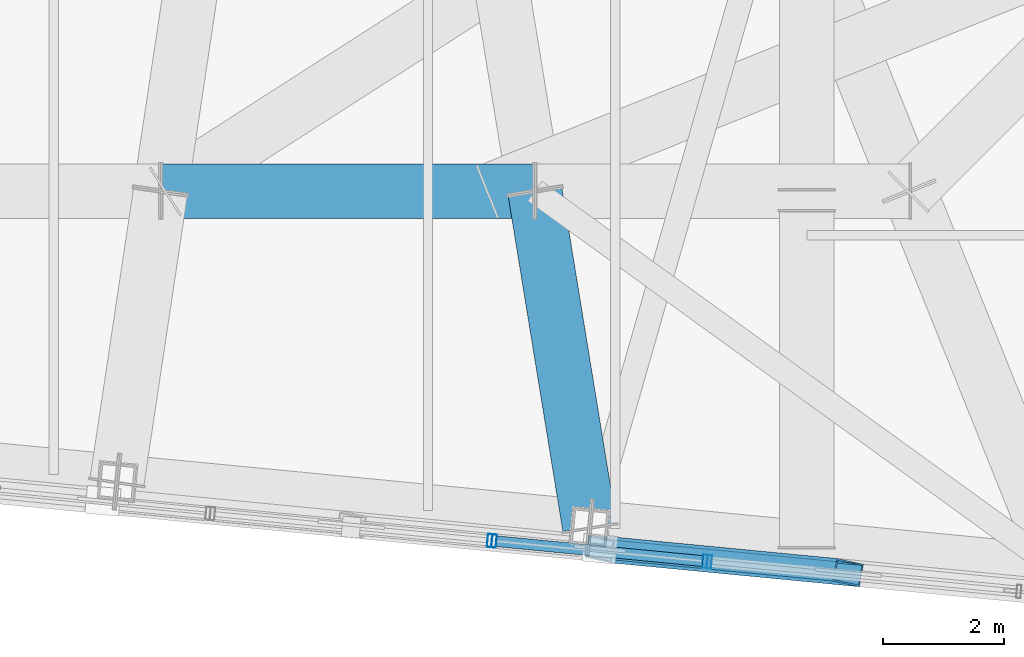
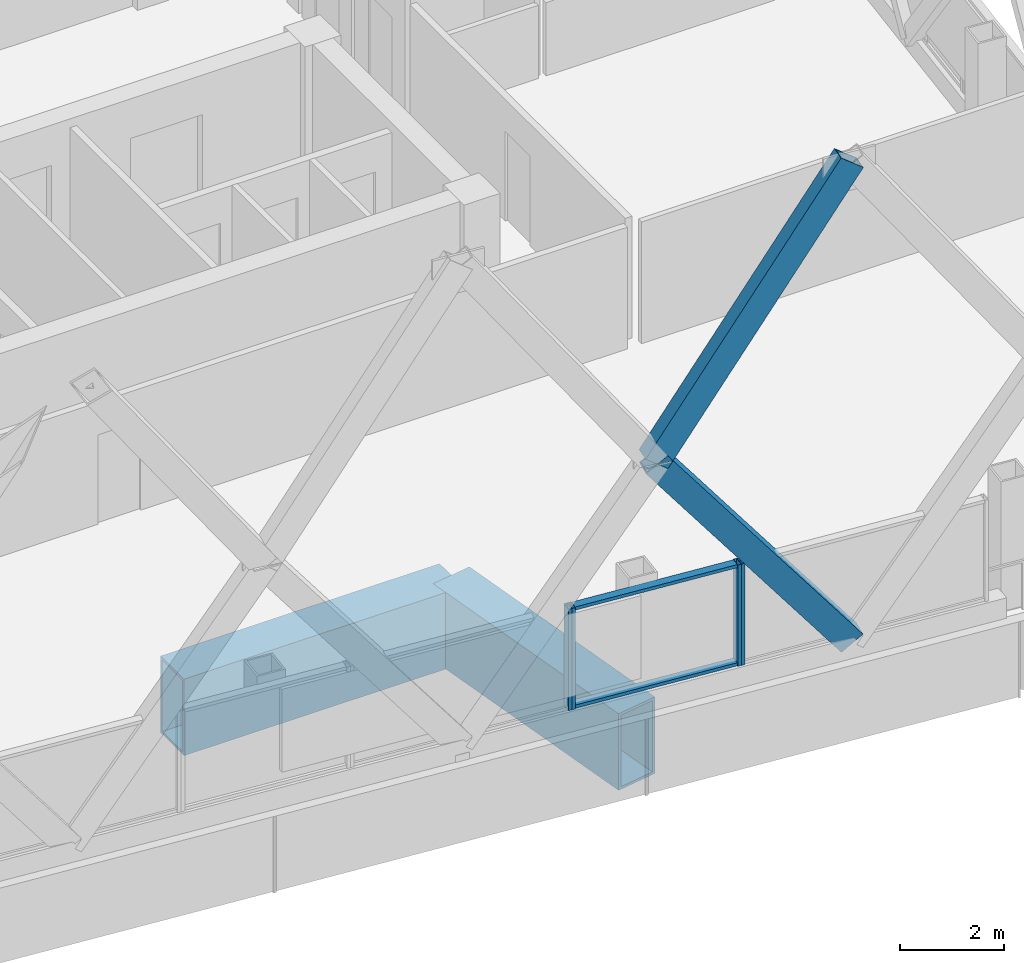
# One storey, part 8 of 31: 8 members, 2 beams, 3 elements without a shape of their own.
"""IFC4 building model written with IfcOpenShell, lengths in metres."""

from ifc_helpers import new_model, si_unit, direction, frame, origin, origin_2d, place, context, subcontext, project, spatial, hollow_rectangle, extrude, material, layer, layer_set, material_profile, profile_set, type_object, element, aggregate, save


model = new_model("IFC4")

# Units and contexts
model_context = context("Model", 3, precision=1e-05, world=origin(), true_north=direction((0.0, 1.0)))
body_context = subcontext(model_context, "Body", "Model", "MODEL_VIEW")
ifc_project = project(units=[si_unit("LENGTHUNIT", "METRE"), si_unit("AREAUNIT", "SQUARE_METRE"), si_unit("VOLUMEUNIT", "CUBIC_METRE"), si_unit("PLANEANGLEUNIT", "RADIAN"), si_unit("MASSUNIT", "GRAM", prefix="KILO")], contexts=[model_context])

# Site, building, storey
site_placement = place(None, origin())
site = spatial("IfcSite", under=ifc_project, at=site_placement, CompositionType="ELEMENT")
building_placement = place(site_placement, origin())
building = spatial("IfcBuilding", under=site, at=building_placement, Name="Qhalaya Broadcast Tower", CompositionType="ELEMENT")
storey_placement = place(building_placement, frame((0.0, 0.0, 242.85009765625)))
storey = spatial("IfcBuildingStorey", under=building, at=storey_placement, Name="L71", CompositionType="ELEMENT", Elevation=242.85009765625)

# Beams
ifc_material_1 = material(Name="Structural Steel ASTM A572 Grade 50", Category="steel")
ifc_material_profile_1 = material_profile(ifc_material_1, hollow_rectangle(XDim=0.89990234375, YDim=1.800048828125, WallThickness=0.06005859375, at=origin_2d()), Name="BOX 900x1800x60")
ifc_profile_set_1 = profile_set([ifc_material_profile_1], Name="Structural Steel ASTM A572 Grade 50")
beam_type = type_object("IfcBeamType", Name="Block Cantilever Transfer Box Girder TG1", PredefinedType="USERDEFINED", material=ifc_profile_set_1)
beam_1_placement = place(storey_placement, frame((-1.330078125, -15.77001953125, -1.090087890625), z_axis=(1.0, 0.0, 0.0), x_axis=(0.0, 1.0, 0.0)))
element("IfcBeam", 1, at=beam_1_placement, inside=storey, type_object=beam_type, Name="L71 TG1 L71-TGL-02", ObjectType="GIRDER", PredefinedType="USERDEFINED", context=body_context, shape_type="SweptSolid", body=[
    extrude(hollow_rectangle(XDim=0.89990234375, YDim=1.800048828125, WallThickness=0.06005859375, at=origin_2d()), origin(), (0.0, 0.0, 1.0), 6.2001953125),
])
beam_2_placement = place(storey_placement, frame((4.8701171875, -15.77001953125, -1.090087890625), z_axis=(0.160944309358, -0.986963489338, 0.0), x_axis=(0.986963489338, 0.160944309358, 0.0)))
element("IfcBeam", 2, at=beam_2_placement, inside=storey, type_object=beam_type, Name="L71 Cantilever Transfer Box Girder 03", ObjectType="GIRDER", PredefinedType="USERDEFINED", context=body_context, shape_type="SweptSolid", body=[
    extrude(hollow_rectangle(XDim=0.89990234375, YDim=1.800048828125, WallThickness=0.06005859375, at=origin_2d()), origin(), (0.0, 0.0, 1.0), 5.639892578125),
])

# Members
ifc_material_profile_2 = material_profile(ifc_material_1, hollow_rectangle(XDim=0.3798828125, YDim=0.550048828125, WallThickness=0.02490234375, at=origin_2d()), Name="BOX 380x550x25")
ifc_profile_set_2 = profile_set([ifc_material_profile_2], Name="Structural Steel ASTM A572 Grade 50")
member_type_1 = type_object("IfcMemberType", Name="Exoskeleton Diamond Diagonal Upper EX4", PredefinedType="BRACE", material=ifc_profile_set_2)
member_1_placement = place(storey_placement, frame((10.05859375, -22.090087890625, 0.35986328125), z_axis=(-0.605364209609, 0.058266125563, 0.793813096602), x_axis=(-0.171099496091, -0.983527971346, -0.058289724799)))
element("IfcMember", 3, at=member_1_placement, inside=storey, type_object=member_type_1, Name="B6 Exoskeleton Diamond Brace S3-D1", PredefinedType="BRACE", context=body_context, shape_type="SweptSolid", body=[
    extrude(hollow_rectangle(XDim=0.3798828125, YDim=0.550048828125, WallThickness=0.02490234375, at=origin_2d()), origin(), (0.0, 0.0, 1.0), 6.79638671875),
])
member_2_placement = place(storey_placement, frame((5.9443359375, -21.694091796875, 5.7548828125), z_axis=(0.572754517502, -0.055127452373, 0.817871155303), x_axis=(0.17339475171, 0.983307053674, -0.055149780368)))
element("IfcMember", 4, at=member_2_placement, inside=storey, type_object=member_type_1, Name="B6 Exoskeleton Diamond Brace S3-D3", PredefinedType="BRACE", context=body_context, shape_type="SweptSolid", body=[
    extrude(hollow_rectangle(XDim=0.3798828125, YDim=0.550048828125, WallThickness=0.02490234375, at=origin_2d()), origin(), (0.0, 0.0, 1.0), 7.183349609375),
])

# Curtain wall, member
ifc_material_2 = material(Name="Fired Architectural Terracotta", Category="masonry")
ifc_layer_1 = layer(ifc_material_2, 0.219970703125, Name="Fired Architectural Terracotta")
ifc_layer_set_1 = layer_set([ifc_layer_1], Name="Fired Architectural Terracotta")
curtain_wall_type_1 = type_object("IfcCurtainWallType", Name="Block-Cap Unitised Terracotta Spandrel Wall CW-07", PredefinedType="NOTDEFINED", material=ifc_layer_set_1)
curtain_wall_1_placement = place(storey_placement, origin())
curtain_wall_1 = element("IfcCurtainWall", 5, at=curtain_wall_1_placement, inside=storey, type_object=curtain_wall_type_1, Name="L71 Unitised Curtain Wall L71-CW-S3", PredefinedType="NOTDEFINED")
ifc_material_3 = material(Name="Anodised Aluminium 6063-T6", Category="aluminium")
ifc_material_profile_3 = material_profile(ifc_material_3, hollow_rectangle(XDim=0.074951171875, YDim=0.219970703125, WallThickness=0.00390625, at=origin_2d()), Name="ALU-MUL 75x220x4")
ifc_profile_set_3 = profile_set([ifc_material_profile_3], Name="Anodised Aluminium 6063-T6")
member_type_2 = type_object("IfcMemberType", Name="Unitised Curtain-Wall Mullion M01", PredefinedType="MULLION", material=ifc_profile_set_3)
member_3_placement = place(storey_placement, frame((4.12109375, -21.55859375, 0.47998046875), z_axis=(0.0, 0.0, 1.0), x_axis=(0.995394786046, -0.095860418903, 0.0)))
member_3 = element("IfcMember", 6, at=member_3_placement, type_object=member_type_2, Name="CW-07 mullion 2", PredefinedType="MULLION", context=body_context, shape_type="SweptSolid", body=[
    extrude(hollow_rectangle(XDim=0.074951171875, YDim=0.219970703125, WallThickness=0.00390625, at=origin_2d()), origin(), (0.0, 0.0, 1.0), 2.3798828125),
])
aggregate(curtain_wall_1, [member_3])

# Curtain wall, members
ifc_material_4 = material(Name="Solar-Control Low-E Triple Glazing", Category="glass")
ifc_layer_2 = layer(ifc_material_4, 0.219970703125, Name="Solar-Control Low-E Triple Glazing")
ifc_layer_set_2 = layer_set([ifc_layer_2], Name="Solar-Control Low-E Triple Glazing")
curtain_wall_type_2 = type_object("IfcCurtainWallType", Name="High-Altitude Upper-Shaft Triple Low-E Curtain Wall CW-04", PredefinedType="NOTDEFINED", material=ifc_layer_set_2)
curtain_wall_2_placement = place(storey_placement, origin())
curtain_wall_2 = element("IfcCurtainWall", 7, at=curtain_wall_2_placement, inside=storey, type_object=curtain_wall_type_2, Name="L71 Unitised Curtain Wall L71-CW-S4", PredefinedType="NOTDEFINED")
member_4_placement = place(storey_placement, frame((4.19580078125, -21.56591796875, 0.47998046875), z_axis=(0.0, 0.0, 1.0), x_axis=(0.995396792791, -0.095839578992, 0.0)))
member_4 = element("IfcMember", 8, at=member_4_placement, type_object=member_type_2, Name="CW-04 mullion 1", PredefinedType="MULLION", context=body_context, shape_type="SweptSolid", body=[
    extrude(hollow_rectangle(XDim=0.074951171875, YDim=0.219970703125, WallThickness=0.00390625, at=origin_2d()), origin(), (0.0, 0.0, 1.0), 2.3798828125),
])
member_5_placement = place(storey_placement, frame((7.685791015625, -21.90185546875, 0.47998046875), z_axis=(0.0, 0.0, 1.0), x_axis=(0.995396792791, -0.095839578992, 0.0)))
member_5 = element("IfcMember", 9, at=member_5_placement, type_object=member_type_2, Name="CW-04 mullion 2", PredefinedType="MULLION", context=body_context, shape_type="SweptSolid", body=[
    extrude(hollow_rectangle(XDim=0.074951171875, YDim=0.219970703125, WallThickness=0.00390625, at=origin_2d()), origin(), (0.0, 0.0, 1.0), 2.3798828125),
])

# Curtain wall, member
curtain_wall_3_placement = place(storey_placement, origin())
curtain_wall_3 = element("IfcCurtainWall", 10, at=curtain_wall_3_placement, inside=storey, type_object=curtain_wall_type_1, Name="L71 Unitised Curtain Wall L71-CW-S5", PredefinedType="NOTDEFINED")
member_6_placement = place(storey_placement, frame((7.76025390625, -21.9091796875, 0.47998046875), z_axis=(0.0, 0.0, 1.0), x_axis=(0.995395942778, -0.095848406879, 0.0)))
member_6 = element("IfcMember", 11, at=member_6_placement, type_object=member_type_2, Name="CW-07 mullion 1", PredefinedType="MULLION", context=body_context, shape_type="SweptSolid", body=[
    extrude(hollow_rectangle(XDim=0.074951171875, YDim=0.219970703125, WallThickness=0.00390625, at=origin_2d()), origin(), (0.0, 0.0, 1.0), 2.3798828125),
])
aggregate(curtain_wall_3, [member_6])

# Member
ifc_material_profile_4 = material_profile(ifc_material_3, hollow_rectangle(XDim=0.074951171875, YDim=0.179931640625, WallThickness=0.00390625, at=origin_2d()), Name="ALU-TRN 75x180x4")
ifc_profile_set_4 = profile_set([ifc_material_profile_4], Name="Anodised Aluminium 6063-T6")
member_type_3 = type_object("IfcMemberType", Name="Unitised Curtain-Wall Transom T01", PredefinedType="USERDEFINED", material=ifc_profile_set_4)
member_7_placement = place(storey_placement, frame((4.233154296875, -21.569580078125, 0.517333984375), z_axis=(0.995402899656, -0.095776131456, 0.0), x_axis=(0.0, 0.0, 1.0)))
member_7 = element("IfcMember", 12, at=member_7_placement, type_object=member_type_3, Name="CW-04 transom 1.1", ObjectType="TRANSOM", PredefinedType="USERDEFINED", context=body_context, shape_type="SweptSolid", body=[
    extrude(hollow_rectangle(XDim=0.074951171875, YDim=0.179931640625, WallThickness=0.00390625, at=origin_2d()), origin(), (0.0, 0.0, 1.0), 3.43115234375),
])

member_8_placement = place(storey_placement, frame((4.233154296875, -21.569580078125, 2.822509765625), z_axis=(0.995402899656, -0.095776131456, 0.0), x_axis=(0.0, 0.0, 1.0)))
member_8 = element("IfcMember", 13, at=member_8_placement, type_object=member_type_3, Name="CW-04 transom 1.2", ObjectType="TRANSOM", PredefinedType="USERDEFINED", context=body_context, shape_type="SweptSolid", body=[
    extrude(hollow_rectangle(XDim=0.074951171875, YDim=0.179931640625, WallThickness=0.00390625, at=origin_2d()), origin(), (0.0, 0.0, 1.0), 3.43115234375),
])

aggregate(curtain_wall_2, [member_4, member_5, member_7, member_8])

save(model, "model.ifc")
